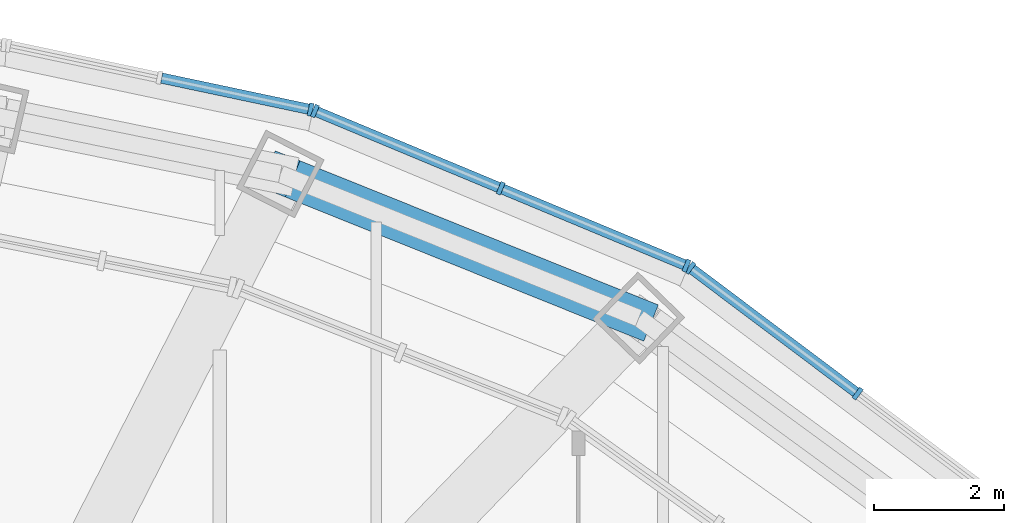
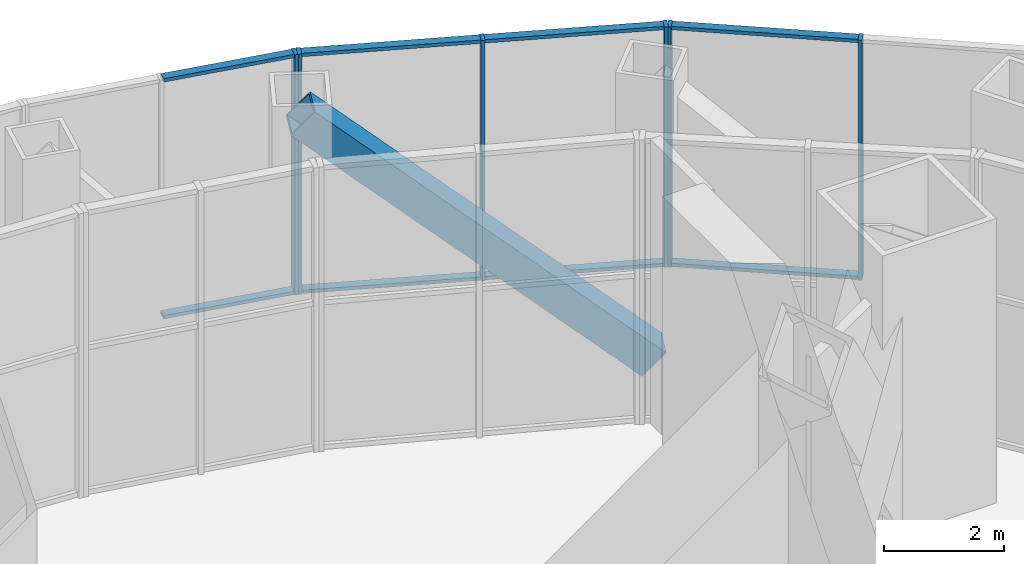
# One storey, part 12 of 21: 15 members, 3 elements without a shape of their own.
"""IFC4 building model written with IfcOpenShell, lengths in metres."""

from ifc_helpers import new_model, si_unit, direction, frame, origin, origin_2d, place, context, subcontext, project, spatial, rectangle, hollow_rectangle, extrude, material, material_profile, profile_set, type_object, element, aggregate, save


model = new_model("IFC4")

# Units and contexts
model_context = context("Model", 3, precision=1e-05, world=origin(), true_north=direction((0.0, 1.0)))
body_context = subcontext(model_context, "Body", "Model", "MODEL_VIEW")
ifc_project = project(units=[si_unit("LENGTHUNIT", "METRE"), si_unit("AREAUNIT", "SQUARE_METRE"), si_unit("VOLUMEUNIT", "CUBIC_METRE"), si_unit("PLANEANGLEUNIT", "RADIAN"), si_unit("MASSUNIT", "GRAM", prefix="KILO")], contexts=[model_context])

# Site, building, storey
site_placement = place(None, origin())
site = spatial("IfcSite", under=ifc_project, at=site_placement, CompositionType="ELEMENT")
building_placement = place(site_placement, origin())
building = spatial("IfcBuilding", under=site, at=building_placement, Name="Lantaw Convention Tower", CompositionType="ELEMENT")
storey_placement = place(building_placement, frame((0.0, 0.0, 284.39990234375)))
storey = spatial("IfcBuildingStorey", under=building, at=storey_placement, Name="L66", CompositionType="ELEMENT", Elevation=284.39990234375)

# Curtain wall, members
ifc_material_1 = material(Name="Aluminium framed curtain wall", Category="aluminium")
curtain_wall_type = type_object("IfcCurtainWallType", Name="Plant floor louvre wall, pale aluminium", PredefinedType="USERDEFINED", material=ifc_material_1)
curtain_wall_1_placement = place(storey_placement, origin())
curtain_wall_1 = element("IfcCurtainWall", 1, at=curtain_wall_1_placement, inside=storey, type_object=curtain_wall_type, Name="Plant floor louvre wall, pale aluminium L66", ObjectType="LOUVRE WALL", PredefinedType="USERDEFINED")
ifc_material_2 = material(Name="Aluminium 6063-T6", Category="aluminium")
ifc_material_profile_1 = material_profile(ifc_material_2, rectangle(XDim=0.199951171875, YDim=0.070068359375, at=origin_2d()), Name="CW-LV mullion 70x200")
ifc_profile_set_1 = profile_set([ifc_material_profile_1], Name="Aluminium 6063-T6")
member_type_1 = type_object("IfcMemberType", Name="CW-LV mullion 70x200", PredefinedType="MULLION", material=ifc_profile_set_1)
member_1_placement = place(storey_placement, frame((17.386962890625, 13.367919921875, 1.10009765625), z_axis=(0.0, 0.0, 1.0), x_axis=(-0.600642756762, -0.799517528732, 0.0)))
member_1 = element("IfcMember", 2, at=member_1_placement, type_object=member_type_1, Name="CW-LV mullion 2", PredefinedType="MULLION", context=body_context, shape_type="SweptSolid", body=[
    extrude(rectangle(XDim=0.199951171875, YDim=0.070068359375, at=origin_2d()), origin(), (0.0, 0.0, 1.0), 4.89990234375),
])
member_2_placement = place(storey_placement, frame((14.81982421875, 15.29638671875, 1.10009765625), z_axis=(0.0, 0.0, 1.0), x_axis=(-0.600642756762, -0.799517528732, 0.0)))
member_2 = element("IfcMember", 3, at=member_2_placement, type_object=member_type_1, Name="CW-LV mullion 3", PredefinedType="MULLION", context=body_context, shape_type="SweptSolid", body=[
    extrude(rectangle(XDim=0.199951171875, YDim=0.070068359375, at=origin_2d()), origin(), (0.0, 0.0, 1.0), 4.89990234375),
])

curtain_wall_2_placement = place(storey_placement, origin())
curtain_wall_2 = element("IfcCurtainWall", 4, at=curtain_wall_2_placement, inside=storey, type_object=curtain_wall_type, Name="Plant floor louvre wall, pale aluminium L66", ObjectType="LOUVRE WALL", PredefinedType="USERDEFINED")
member_3_placement = place(storey_placement, frame((14.759521484375, 15.330810546875, 1.10009765625), z_axis=(0.0, 0.0, 1.0), x_axis=(-0.384459697924, -0.923141777124, 0.0)))
member_3 = element("IfcMember", 5, at=member_3_placement, type_object=member_type_1, Name="CW-LV mullion 1", PredefinedType="MULLION", context=body_context, shape_type="SweptSolid", body=[
    extrude(rectangle(XDim=0.199951171875, YDim=0.070068359375, at=origin_2d()), origin(), (0.0, 0.0, 1.0), 4.89990234375),
])
member_4_placement = place(storey_placement, frame((11.90966796875, 16.517578125, 1.10009765625), z_axis=(0.0, 0.0, 1.0), x_axis=(-0.384459697924, -0.923141777124, 0.0)))
member_4 = element("IfcMember", 6, at=member_4_placement, type_object=member_type_1, Name="CW-LV mullion 2", PredefinedType="MULLION", context=body_context, shape_type="SweptSolid", body=[
    extrude(rectangle(XDim=0.199951171875, YDim=0.070068359375, at=origin_2d()), origin(), (0.0, 0.0, 1.0), 4.89990234375),
])
member_5_placement = place(storey_placement, frame((9.06005859375, 17.70458984375, 1.10009765625), z_axis=(0.0, 0.0, 1.0), x_axis=(-0.384459697924, -0.923141777124, 0.0)))
member_5 = element("IfcMember", 7, at=member_5_placement, type_object=member_type_1, Name="CW-LV mullion 3", PredefinedType="MULLION", context=body_context, shape_type="SweptSolid", body=[
    extrude(rectangle(XDim=0.199951171875, YDim=0.070068359375, at=origin_2d()), origin(), (0.0, 0.0, 1.0), 4.89990234375),
])

# Curtain wall, member
curtain_wall_3_placement = place(storey_placement, origin())
curtain_wall_3 = element("IfcCurtainWall", 8, at=curtain_wall_3_placement, inside=storey, type_object=curtain_wall_type, Name="Plant floor louvre wall, pale aluminium L66", ObjectType="LOUVRE WALL", PredefinedType="USERDEFINED")
member_6_placement = place(storey_placement, frame((8.993408203125, 17.72509765625, 1.10009765625), z_axis=(0.0, 0.0, 1.0), x_axis=(-0.207039911975, -0.978332497083, 0.0)))
member_6 = element("IfcMember", 9, at=member_6_placement, type_object=member_type_1, Name="CW-LV mullion 1", PredefinedType="MULLION", context=body_context, shape_type="SweptSolid", body=[
    extrude(rectangle(XDim=0.199951171875, YDim=0.070068359375, at=origin_2d()), origin(), (0.0, 0.0, 1.0), 4.89990234375),
])

# Member
ifc_material_profile_2 = material_profile(ifc_material_2, rectangle(XDim=0.159912109375, YDim=0.070068359375, at=origin_2d()), Name="CW-LV transom 70x160")
ifc_profile_set_2 = profile_set([ifc_material_profile_2], Name="Aluminium 6063-T6")
member_type_2 = type_object("IfcMemberType", Name="CW-LV transom 70x160", PredefinedType="USERDEFINED", material=ifc_profile_set_2)
member_7_placement = place(storey_placement, frame((17.35888671875, 13.388916015625, 1.135009765625), z_axis=(-0.799505333284, 0.600658989819, 0.0), x_axis=(-0.600658989819, -0.799505333284, 0.0)))
member_7 = element("IfcMember", 10, at=member_7_placement, type_object=member_type_2, Name="CW-LV transom 2.1", ObjectType="TRANSOM", PredefinedType="USERDEFINED", context=body_context, shape_type="SweptSolid", body=[
    extrude(rectangle(XDim=0.159912109375, YDim=0.070068359375, at=origin_2d()), origin(), (0.0, 0.0, 1.0), 3.140625),
])

member_8_placement = place(storey_placement, frame((17.35888671875, 13.388916015625, 5.965087890625), z_axis=(-0.799505333284, 0.600658989819, 0.0), x_axis=(-0.600658989819, -0.799505333284, 0.0)))
member_8 = element("IfcMember", 11, at=member_8_placement, type_object=member_type_2, Name="CW-LV transom 2.2", ObjectType="TRANSOM", PredefinedType="USERDEFINED", context=body_context, shape_type="SweptSolid", body=[
    extrude(rectangle(XDim=0.159912109375, YDim=0.070068359375, at=origin_2d()), origin(), (0.0, 0.0, 1.0), 3.140625),
])

aggregate(curtain_wall_1, [member_1, member_2, member_7, member_8])

member_9_placement = place(storey_placement, frame((14.727294921875, 15.34423828125, 1.135009765625), z_axis=(-0.923143943999, 0.384454494911, 0.0), x_axis=(-0.384454494911, -0.923143943999, 0.0)))
member_9 = element("IfcMember", 12, at=member_9_placement, type_object=member_type_2, Name="CW-LV transom 1.1", ObjectType="TRANSOM", PredefinedType="USERDEFINED", context=body_context, shape_type="SweptSolid", body=[
    extrude(rectangle(XDim=0.159912109375, YDim=0.070068359375, at=origin_2d()), origin(), (0.0, 0.0, 1.0), 3.01708984375),
])

member_10_placement = place(storey_placement, frame((14.727294921875, 15.34423828125, 5.965087890625), z_axis=(-0.923143943999, 0.384454494911, 0.0), x_axis=(-0.384454494911, -0.923143943999, 0.0)))
member_10 = element("IfcMember", 13, at=member_10_placement, type_object=member_type_2, Name="CW-LV transom 1.2", ObjectType="TRANSOM", PredefinedType="USERDEFINED", context=body_context, shape_type="SweptSolid", body=[
    extrude(rectangle(XDim=0.159912109375, YDim=0.070068359375, at=origin_2d()), origin(), (0.0, 0.0, 1.0), 3.01708984375),
])

member_11_placement = place(storey_placement, frame((11.87744140625, 16.531005859375, 1.135009765625), z_axis=(-0.923143943999, 0.384454494911, 0.0), x_axis=(-0.384454494911, -0.923143943999, 0.0)))
member_11 = element("IfcMember", 14, at=member_11_placement, type_object=member_type_2, Name="CW-LV transom 2.1", ObjectType="TRANSOM", PredefinedType="USERDEFINED", context=body_context, shape_type="SweptSolid", body=[
    extrude(rectangle(XDim=0.159912109375, YDim=0.070068359375, at=origin_2d()), origin(), (0.0, 0.0, 1.0), 3.01708984375),
])

member_12_placement = place(storey_placement, frame((11.87744140625, 16.531005859375, 5.965087890625), z_axis=(-0.923143943999, 0.384454494911, 0.0), x_axis=(-0.384454494911, -0.923143943999, 0.0)))
member_12 = element("IfcMember", 15, at=member_12_placement, type_object=member_type_2, Name="CW-LV transom 2.2", ObjectType="TRANSOM", PredefinedType="USERDEFINED", context=body_context, shape_type="SweptSolid", body=[
    extrude(rectangle(XDim=0.159912109375, YDim=0.070068359375, at=origin_2d()), origin(), (0.0, 0.0, 1.0), 3.01708984375),
])

aggregate(curtain_wall_2, [member_3, member_4, member_5, member_9, member_10, member_11, member_12])

member_13_placement = place(storey_placement, frame((8.959228515625, 17.732421875, 1.135009765625), z_axis=(-0.978336479598, 0.207021092375, 0.0), x_axis=(-0.207021092375, -0.978336479598, 0.0)))
member_13 = element("IfcMember", 16, at=member_13_placement, type_object=member_type_2, Name="CW-LV transom 1.1", ObjectType="TRANSOM", PredefinedType="USERDEFINED", context=body_context, shape_type="SweptSolid", body=[
    extrude(rectangle(XDim=0.159912109375, YDim=0.070068359375, at=origin_2d()), origin(), (0.0, 0.0, 1.0), 2.30078125),
])

member_14_placement = place(storey_placement, frame((8.959228515625, 17.732421875, 5.965087890625), z_axis=(-0.978336479598, 0.207021092375, 0.0), x_axis=(-0.207021092375, -0.978336479598, 0.0)))
member_14 = element("IfcMember", 17, at=member_14_placement, type_object=member_type_2, Name="CW-LV transom 1.2", ObjectType="TRANSOM", PredefinedType="USERDEFINED", context=body_context, shape_type="SweptSolid", body=[
    extrude(rectangle(XDim=0.159912109375, YDim=0.070068359375, at=origin_2d()), origin(), (0.0, 0.0, 1.0), 2.30078125),
])

aggregate(curtain_wall_3, [member_6, member_13, member_14])

ifc_material_3 = material(Name="Steel ASTM A572 Grade 50", Category="steel")
ifc_material_profile_3 = material_profile(ifc_material_3, hollow_rectangle(XDim=0.60009765625, YDim=0.60009765625, WallThickness=0.031982421875, at=origin_2d()), Name="BOX600X32")
ifc_profile_set_3 = profile_set([ifc_material_profile_3], Name="Steel ASTM A572 Grade 50")
member_type_3 = type_object("IfcMemberType", Name="Member CR BOX600X32", PredefinedType="BRACE", material=ifc_profile_set_3)
member_15_placement = place(storey_placement, frame((14.027587890625, 14.526123046875, -0.005859375), z_axis=(-0.680097235143, 0.273518350862, 0.680187814131), x_axis=(-0.373129898615, -0.927779110974, 0.0)))
element("IfcMember", 18, at=member_15_placement, inside=storey, type_object=member_type_3, Name="Crown ring truss diagonal 4", PredefinedType="BRACE", context=body_context, shape_type="SweptSolid", body=[
    extrude(hollow_rectangle(XDim=0.60009765625, YDim=0.60009765625, WallThickness=0.031982421875, at=origin_2d()), origin(), (0.0, 0.0, 1.0), 8.0859375),
])

save(model, "model.ifc")
